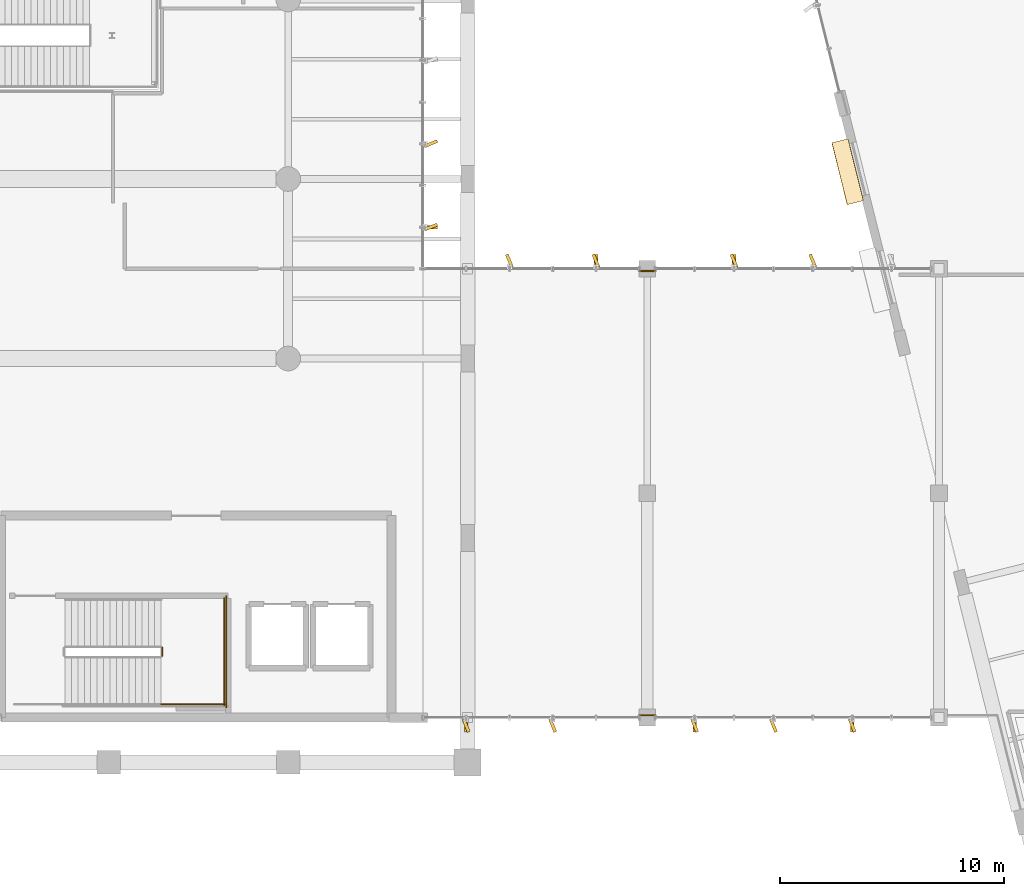
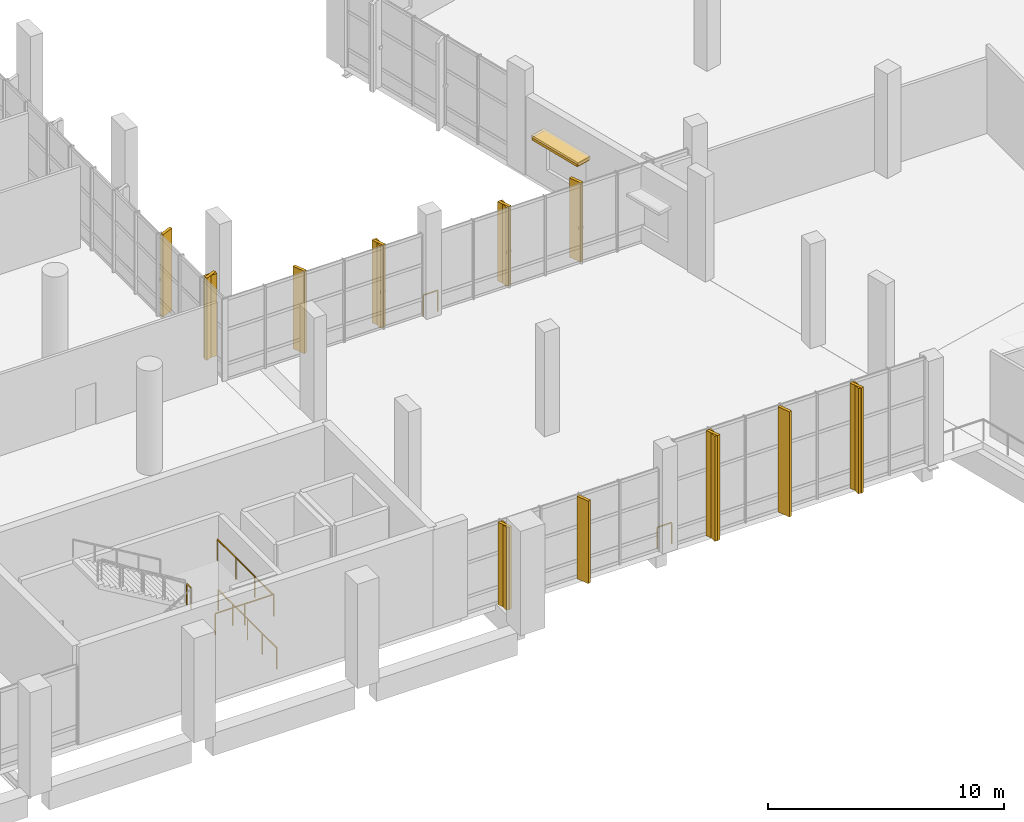
# One storey, part 167 of 176: 12 shading devices, 7 coverings, 6 railings.
"""IFC4 building model written with IfcOpenShell, lengths in metres."""

from ifc_helpers import new_model, si_unit, direction, frame, origin, origin_2d, place, context, subcontext, project, spatial, rectangle, extrude, material, layer, layer_set, type_object, element, save


model = new_model("IFC4")

# Units and contexts
model_context = context("Model", 3, precision=1e-05, world=origin(), true_north=direction((0.0, 1.0)))
body_context = subcontext(model_context, "Body", "Model", "MODEL_VIEW")
ifc_project = project(units=[si_unit("LENGTHUNIT", "METRE"), si_unit("AREAUNIT", "SQUARE_METRE"), si_unit("VOLUMEUNIT", "CUBIC_METRE"), si_unit("PLANEANGLEUNIT", "RADIAN"), si_unit("MASSUNIT", "GRAM", prefix="KILO")], contexts=[model_context])

# Site, building, storey
site_placement = place(None, origin())
site = spatial("IfcSite", under=ifc_project, at=site_placement, CompositionType="ELEMENT")
building_placement = place(site_placement, origin())
building = spatial("IfcBuilding", under=site, at=building_placement, Name="Khorjan Park Terminus", CompositionType="ELEMENT")
storey_placement = place(building_placement, frame((0.0, 0.0, 6.0)))
storey = spatial("IfcBuildingStorey", under=building, at=storey_placement, Name="L01", CompositionType="ELEMENT", Elevation=6.0)

# Coverings
ifc_material_1 = material(Name="Pigmented Precast GRC", Category="concrete")
ifc_layer_1 = layer(ifc_material_1, 0.16)
ifc_layer_set_1 = layer_set([ifc_layer_1], Name="Pigmented Precast GRC")
covering_type_1 = type_object("IfcCoveringType", Name="CV-FIN-GRC", PredefinedType="CLADDING", material=ifc_layer_set_1)
covering_1_placement = place(storey_placement, frame((134.355, 49.8571, -0.02), z_axis=(0.0, 0.0, 1.0), x_axis=(-1.0, 0.0, 0.0)))
element("IfcCovering", 1, at=covering_1_placement, inside=storey, type_object=covering_type_1, Name="Projecting desert-sandstone GRC facade fin CL-FN1 (CW-V2-E-L01-02-1)", PredefinedType="CLADDING", context=body_context, shape_type="SweptSolid", body=[
    extrude(rectangle(XDim=0.58, YDim=0.16, at=origin_2d()), origin(), (0.0, 0.0, 1.0), 4.255),
])
for number, where, z_axis, x_axis, name in (
    (2, (135.929, 27.645, -0.02), (0.0, 0.0, 1.0), (0.0, 1.0, 0.0), "Projecting desert-sandstone GRC facade fin CL-FN1 (CW-V5L-S-L01-1-1)"),
    (3, (141.716, 48.355, -0.02), (0.0, 0.0, 1.0), (0.0, -1.0, 0.0), "Projecting desert-sandstone GRC facade fin CL-FN1 (CW-V5L-N-L01-1-1)"),
):
    element("IfcCovering", number, at=place(storey_placement, frame(where, z_axis=z_axis, x_axis=x_axis)), inside=storey, type_object=covering_type_1, Name=name, PredefinedType="CLADDING", context=body_context, shape_type="SweptSolid", body=[
        extrude(rectangle(XDim=0.58, YDim=0.16, at=origin_2d()), origin(), (0.0, 0.0, 1.0), 4.265),
    ])
for number, where, z_axis, x_axis, name in (
    (4, (146.1107, 27.645, -0.02), (0.0, 0.0, 1.0), (0.0, 1.0, 0.0), "Projecting desert-sandstone GRC facade fin CL-FN1 (CW-V5L-S-L01-2-1)"),
    (5, (153.1336, 27.645, -0.02), (0.0, 0.0, 1.0), (0.0, 1.0, 0.0), "Projecting desert-sandstone GRC facade fin CL-FN1 (CW-V5L-S-L01-2-5)"),
):
    element("IfcCovering", number, at=place(storey_placement, frame(where, z_axis=z_axis, x_axis=x_axis)), inside=storey, type_object=covering_type_1, Name=name, PredefinedType="CLADDING", context=body_context, shape_type="SweptSolid", body=[
        extrude(rectangle(XDim=0.58, YDim=0.16, at=origin_2d()), origin(), (0.0, 0.0, 1.0), 5.44),
    ])
covering_2_placement = place(storey_placement, frame((147.8664, 48.355, -0.02), z_axis=(0.0, 0.0, 1.0), x_axis=(0.0, -1.0, 0.0)))
element("IfcCovering", 6, at=covering_2_placement, inside=storey, type_object=covering_type_1, Name="Projecting desert-sandstone GRC facade fin CL-FN1 (CW-V5L-N-L01-2-5)", PredefinedType="CLADDING", context=body_context, shape_type="SweptSolid", body=[
    extrude(rectangle(XDim=0.58, YDim=0.16, at=origin_2d()), origin(), (0.0, 0.0, 1.0), 4.095),
])
ifc_layer_2 = layer(ifc_material_1, 0.18)
ifc_layer_set_2 = layer_set([ifc_layer_2], Name="Pigmented Precast GRC")
covering_type_2 = type_object("IfcCoveringType", Name="CV-HOOD-GRC", PredefinedType="CLADDING", material=ifc_layer_set_2)
covering_3_placement = place(storey_placement, frame((152.9319, 52.3259, 2.73), z_axis=(0.0, 0.0, 1.0), x_axis=(0.241921955244, -0.970295711405, 0.0)))
element("IfcCovering", 7, at=covering_3_placement, inside=storey, type_object=covering_type_2, Name="Projecting desert-sandstone GRC window eyebrow CL-HD1 (EW-V5-W-L01-B02-1)", PredefinedType="CLADDING", context=body_context, shape_type="SweptSolid", body=[
    extrude(rectangle(XDim=2.84, YDim=0.74, at=origin_2d()), origin(), (0.0, 0.0, 1.0), 0.16),
])

# Railings
ifc_material_2 = material(Name="Steel S355", Category="steel")
railing_type = type_object("IfcRailingType", Name="GR-112", PredefinedType="GUARDRAIL", material=ifc_material_2)
railing_1_placement = place(storey_placement, frame((122.385, 30.75, 2.7)))
element("IfcRailing", 8, at=railing_1_placement, inside=storey, type_object=railing_type, Name="L01 ST-02 stair guard 2", PredefinedType="GUARDRAIL", context=body_context, shape_type="SweptSolid", body=[
    extrude(rectangle(XDim=0.048, YDim=0.048, at=origin_2d()), frame((0.0, 0.0, 1.096), z_axis=(0.0, 1.0, 0.0), x_axis=(-1.0, 0.0, 0.0)), (0.0, 0.0, 1.0), 0.36),
    extrude(rectangle(XDim=0.042, YDim=0.042, at=origin_2d()), origin(), (0.0, 0.0, 1.0), 1.072),
    extrude(rectangle(XDim=0.042, YDim=0.042, at=origin_2d()), frame((0.0, 0.36, 0.0)), (0.0, 0.0, 1.0), 1.072),
])
railing_2_placement = place(storey_placement, frame((122.335, 28.6, 2.7)))
element("IfcRailing", 9, at=railing_2_placement, inside=storey, type_object=railing_type, Name="L01 ST-02 stair guard 3", PredefinedType="GUARDRAIL", context=body_context, shape_type="SweptSolid", body=[
    extrude(rectangle(XDim=0.048, YDim=0.048, at=origin_2d()), frame((0.0, 0.0, 1.096), z_axis=(1.0, 0.0, 0.0), x_axis=(0.0, 1.0, 0.0)), (0.0, 0.0, 1.0), 2.865),
    extrude(rectangle(XDim=0.042, YDim=0.042, at=origin_2d()), origin(), (0.0, 0.0, 1.0), 1.072),
    extrude(rectangle(XDim=0.042, YDim=0.042, at=origin_2d()), frame((1.4325, 0.0, 0.0)), (0.0, 0.0, 1.0), 1.072),
    extrude(rectangle(XDim=0.042, YDim=0.042, at=origin_2d()), frame((2.865, 0.0, 0.0)), (0.0, 0.0, 1.0), 1.072),
])
railing_3_placement = place(storey_placement, frame((125.15, 28.55, 2.7)))
element("IfcRailing", 10, at=railing_3_placement, inside=storey, type_object=railing_type, Name="L01 ST-02 stair guard 4", PredefinedType="GUARDRAIL", context=body_context, shape_type="SweptSolid", body=[
    extrude(rectangle(XDim=0.048, YDim=0.048, at=origin_2d()), frame((0.0, 0.0, 1.096), z_axis=(0.0, 1.0, 0.0), x_axis=(-1.0, 0.0, 0.0)), (0.0, 0.0, 1.0), 4.76),
    extrude(rectangle(XDim=0.042, YDim=0.042, at=origin_2d()), origin(), (0.0, 0.0, 1.0), 1.072),
    extrude(rectangle(XDim=0.042, YDim=0.042, at=origin_2d()), frame((0.0, 1.5867, 0.0)), (0.0, 0.0, 1.0), 1.072),
    extrude(rectangle(XDim=0.042, YDim=0.042, at=origin_2d()), frame((0.0, 3.1733, 0.0)), (0.0, 0.0, 1.0), 1.072),
    extrude(rectangle(XDim=0.042, YDim=0.042, at=origin_2d()), frame((0.0, 4.76, 0.0)), (0.0, 0.0, 1.0), 1.072),
])
railing_4_placement = place(storey_placement, frame((125.25, 28.45, 0.0)))
element("IfcRailing", 11, at=railing_4_placement, inside=storey, type_object=railing_type, Name="L01 ST-02 stair guard 9", PredefinedType="GUARDRAIL", context=body_context, shape_type="SweptSolid", body=[
    extrude(rectangle(XDim=0.048, YDim=0.048, at=origin_2d()), frame((0.0, 0.0, 1.096), z_axis=(0.0, 1.0, 0.0), x_axis=(-1.0, 0.0, 0.0)), (0.0, 0.0, 1.0), 4.96),
    extrude(rectangle(XDim=0.042, YDim=0.042, at=origin_2d()), origin(), (0.0, 0.0, 1.0), 1.072),
    extrude(rectangle(XDim=0.042, YDim=0.042, at=origin_2d()), frame((0.0, 1.24, 0.0)), (0.0, 0.0, 1.0), 1.072),
    extrude(rectangle(XDim=0.042, YDim=0.042, at=origin_2d()), frame((0.0, 2.48, 0.0)), (0.0, 0.0, 1.0), 1.072),
    extrude(rectangle(XDim=0.042, YDim=0.042, at=origin_2d()), frame((0.0, 3.72, 0.0)), (0.0, 0.0, 1.0), 1.072),
    extrude(rectangle(XDim=0.042, YDim=0.042, at=origin_2d()), frame((0.0, 4.96, 0.0)), (0.0, 0.0, 1.0), 1.072),
])
railing_5_placement = place(storey_placement, frame((144.355, 28.1, 0.0)))
element("IfcRailing", 12, at=railing_5_placement, inside=storey, type_object=railing_type, Name="Perimeter safety guard GR-112 (L01-20)", PredefinedType="GUARDRAIL", context=body_context, shape_type="SweptSolid", body=[
    extrude(rectangle(XDim=0.048, YDim=0.048, at=origin_2d()), frame((0.0, 0.0, 1.096), z_axis=(-1.0, 0.0, 0.0), x_axis=(0.0, -1.0, 0.0)), (0.0, 0.0, 1.0), 0.71),
    extrude(rectangle(XDim=0.042, YDim=0.042, at=origin_2d()), origin(), (0.0, 0.0, 1.0), 1.072),
    extrude(rectangle(XDim=0.042, YDim=0.042, at=origin_2d()), frame((-0.71, 0.0, 0.0)), (0.0, 0.0, 1.0), 1.072),
])
railing_6_placement = place(storey_placement, frame((143.645, 47.9, 0.0)))
element("IfcRailing", 13, at=railing_6_placement, inside=storey, type_object=railing_type, Name="Perimeter safety guard GR-112 (L01-21)", PredefinedType="GUARDRAIL", context=body_context, shape_type="SweptSolid", body=[
    extrude(rectangle(XDim=0.048, YDim=0.048, at=origin_2d()), frame((0.0, 0.0, 1.096), z_axis=(1.0, 0.0, 0.0), x_axis=(0.0, 1.0, 0.0)), (0.0, 0.0, 1.0), 0.71),
    extrude(rectangle(XDim=0.042, YDim=0.042, at=origin_2d()), origin(), (0.0, 0.0, 1.0), 1.072),
    extrude(rectangle(XDim=0.042, YDim=0.042, at=origin_2d()), frame((0.71, 0.0, 0.0)), (0.0, 0.0, 1.0), 1.072),
])

# Shading devices
ifc_material_3 = material(Name="Anodized Bronze Aluminium", Category="aluminium")
shading_device_type_1 = type_object("IfcShadingDeviceType", Name="SD-FIN-620", PredefinedType="JALOUSIE", material=ifc_material_3)
for number, where, z_axis, x_axis, name in (
    (14, (134.355, 49.8571, -0.02), (0.0, 0.0, 1.0), (-0.927183854567, -0.374606593416, 0.0), "Angled solar brise-soleil fin SF-62 (CW-V2-E-L01-02-1)"),
    (15, (134.355, 53.5714, -0.02), (0.0, 0.0, 1.0), (-0.927183854567, -0.374606593416, 0.0), "Angled solar brise-soleil fin SF-62 (CW-V2-E-L01-02-3)"),
):
    element("IfcShadingDevice", number, at=place(storey_placement, frame(where, z_axis=z_axis, x_axis=x_axis)), inside=storey, type_object=shading_device_type_1, Name=name, PredefinedType="JALOUSIE", context=body_context, shape_type="SweptSolid", body=[
        extrude(rectangle(XDim=0.62, YDim=0.14, at=origin_2d()), origin(), (0.0, 0.0, 1.0), 4.255),
    ])
for number, where, z_axis, x_axis, name in (
    (16, (135.929, 27.645, -0.02), (0.0, 0.0, 1.0), (-0.374606593416, 0.927183854567, 0.0), "Angled solar brise-soleil fin SF-62 (CW-V5L-S-L01-1-1)"),
    (17, (139.787, 27.645, -0.02), (0.0, 0.0, 1.0), (-0.374606593416, 0.927183854567, 0.0), "Angled solar brise-soleil fin SF-62 (CW-V5L-S-L01-1-3)"),
    (18, (141.716, 48.355, -0.02), (0.0, 0.0, 1.0), (0.374606593416, -0.927183854567, 0.0), "Angled solar brise-soleil fin SF-62 (CW-V5L-N-L01-1-1)"),
    (19, (137.858, 48.355, -0.02), (0.0, 0.0, 1.0), (0.374606593416, -0.927183854567, 0.0), "Angled solar brise-soleil fin SF-62 (CW-V5L-N-L01-1-3)"),
):
    element("IfcShadingDevice", number, at=place(storey_placement, frame(where, z_axis=z_axis, x_axis=x_axis)), inside=storey, type_object=shading_device_type_1, Name=name, PredefinedType="JALOUSIE", context=body_context, shape_type="SweptSolid", body=[
        extrude(rectangle(XDim=0.62, YDim=0.14, at=origin_2d()), origin(), (0.0, 0.0, 1.0), 4.265),
    ])
for number, where, z_axis, x_axis, name in (
    (20, (146.1107, 27.645, -0.02), (0.0, 0.0, 1.0), (-0.374606593416, 0.927183854567, 0.0), "Angled solar brise-soleil fin SF-62 (CW-V5L-S-L01-2-1)"),
    (21, (149.6221, 27.645, -0.02), (0.0, 0.0, 1.0), (-0.374606593416, 0.927183854567, 0.0), "Angled solar brise-soleil fin SF-62 (CW-V5L-S-L01-2-3)"),
    (22, (153.1336, 27.645, -0.02), (0.0, 0.0, 1.0), (-0.374606593416, 0.927183854567, 0.0), "Angled solar brise-soleil fin SF-62 (CW-V5L-S-L01-2-5)"),
):
    element("IfcShadingDevice", number, at=place(storey_placement, frame(where, z_axis=z_axis, x_axis=x_axis)), inside=storey, type_object=shading_device_type_1, Name=name, PredefinedType="JALOUSIE", context=body_context, shape_type="SweptSolid", body=[
        extrude(rectangle(XDim=0.62, YDim=0.14, at=origin_2d()), origin(), (0.0, 0.0, 1.0), 5.44),
    ])
for number, where, z_axis, x_axis, name in (
    (23, (151.3779, 48.355, -0.02), (0.0, 0.0, 1.0), (0.374606593416, -0.927183854567, 0.0), "Angled solar brise-soleil fin SF-62 (CW-V5L-N-L01-2-3)"),
    (24, (147.8664, 48.355, -0.02), (0.0, 0.0, 1.0), (0.374606593416, -0.927183854567, 0.0), "Angled solar brise-soleil fin SF-62 (CW-V5L-N-L01-2-5)"),
):
    element("IfcShadingDevice", number, at=place(storey_placement, frame(where, z_axis=z_axis, x_axis=x_axis)), inside=storey, type_object=shading_device_type_1, Name=name, PredefinedType="JALOUSIE", context=body_context, shape_type="SweptSolid", body=[
        extrude(rectangle(XDim=0.62, YDim=0.14, at=origin_2d()), origin(), (0.0, 0.0, 1.0), 4.095),
    ])
shading_device_type_2 = type_object("IfcShadingDeviceType", Name="SD-SUN-750", PredefinedType="SHUTTER", material=ifc_material_3)
shading_device_placement = place(storey_placement, frame((152.9319, 52.3259, 2.66), z_axis=(0.0, 0.0, 1.0), x_axis=(0.241921955244, -0.970295711405, 0.0)))
element("IfcShadingDevice", 25, at=shading_device_placement, inside=storey, type_object=shading_device_type_2, Name="Projecting solar overhang hood SH-75 (EW-V5-W-L01-B02-1)", PredefinedType="SHUTTER", context=body_context, shape_type="SweptSolid", body=[
    extrude(rectangle(XDim=2.76, YDim=0.76, at=origin_2d()), origin(), (0.0, 0.0, 1.0), 0.14),
])

save(model, "model.ifc")
